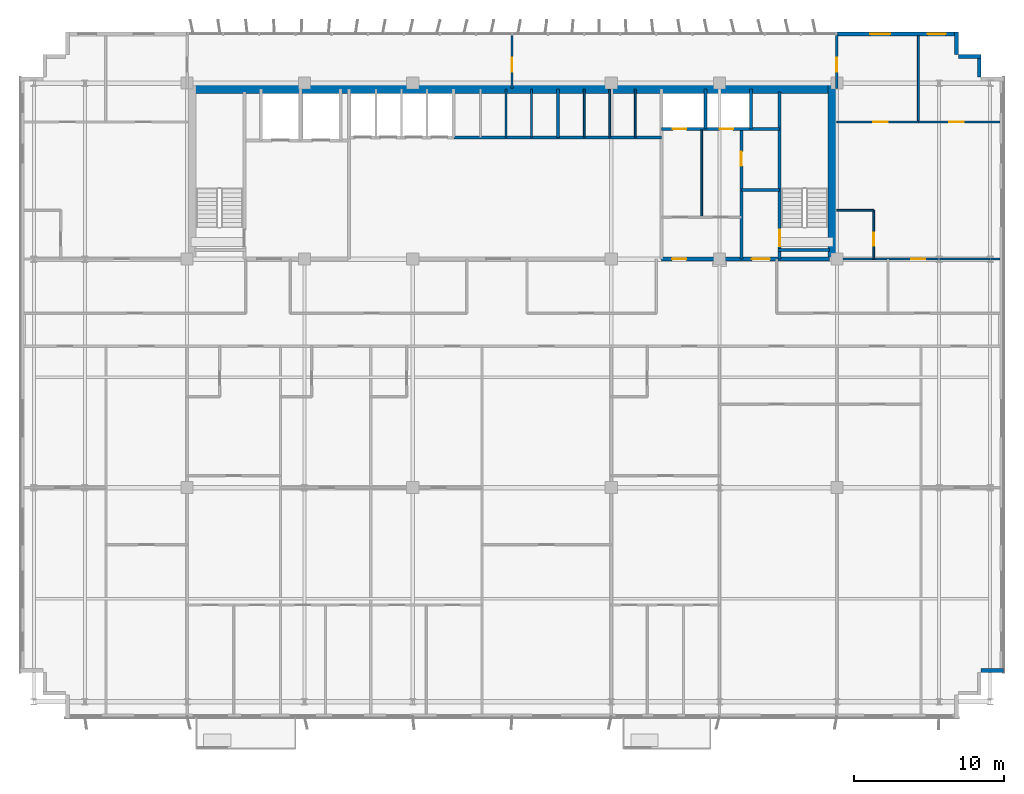
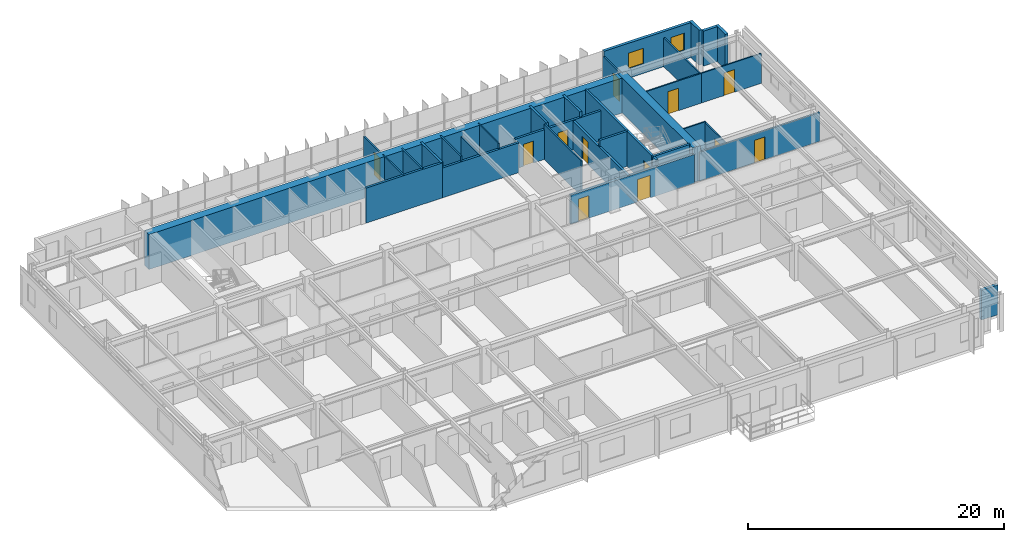
# One storey, part 18 of 22: 32 walls, 12 doors, 2 windows, 14 openings.
"""IFC4 building model written with IfcOpenShell, lengths in metres."""

from ifc_helpers import new_model, si_unit, direction, frame, frame_2d, origin, place, context, subcontext, project, spatial, rectangle, extrude, source, transform, mapped, material, layer, layer_set, type_object, element, fill, save


model = new_model("IFC4")

# Units and contexts
model_context = context("Model", 3, precision=1e-05, world=origin(), true_north=direction((0.0, 1.0)))
body_context = subcontext(model_context, "Body", "Model", "MODEL_VIEW")
ifc_project = project(units=[si_unit("LENGTHUNIT", "METRE"), si_unit("AREAUNIT", "SQUARE_METRE"), si_unit("VOLUMEUNIT", "CUBIC_METRE"), si_unit("PLANEANGLEUNIT", "RADIAN"), si_unit("MASSUNIT", "GRAM", prefix="KILO")], contexts=[model_context])

# Site, building, storey
site_placement = place(None, origin())
site = spatial("IfcSite", under=ifc_project, at=site_placement, CompositionType="ELEMENT")
building_placement = place(site_placement, origin())
building = spatial("IfcBuilding", under=site, at=building_placement, Name="Trelvane Seafront Commons", CompositionType="ELEMENT")
storey_placement = place(building_placement, frame((0.0, 0.0, 114.10009765625)))
storey = spatial("IfcBuildingStorey", under=building, at=storey_placement, Name="L29", CompositionType="ELEMENT", Elevation=114.10009765625)

# Wall, openings, windows
ifc_material_1 = material(Name="Precast concrete C40/50", Category="concrete")
ifc_layer_1 = layer(ifc_material_1, 0.260009765625, Name="ARCH-WALL-EXT260")
ifc_layer_set_1 = layer_set([ifc_layer_1], Name="Precast concrete C40/50")
wall_type_1 = type_object("IfcWallType", Name="ARCH-WALL-EXT260", PredefinedType="SOLIDWALL", material=ifc_layer_set_1)
wall_1_placement = place(storey_placement, frame((58.800048828125, 48.3701171875, 0.0), z_axis=(0.0, 0.0, 1.0), x_axis=(1.0, 0.0, 0.0)))
wall_1 = element("IfcWall", 1, at=wall_1_placement, inside=storey, type_object=wall_type_1, Name="EW-L29-NE-0539", PredefinedType="SOLIDWALL", context=body_context, shape_type="SweptSolid", body=[
    extrude(rectangle(XDim=8.0, YDim=0.260009765625, at=frame_2d((4.0, 0.0))), origin(), (0.0, 0.0, 1.0), 3.33984375),
])
opening_1_placement = place(wall_1_placement, frame((2.208984375, 0.0, 0.89990234375)))
opening_1 = element("IfcOpeningElement", 2, at=opening_1_placement, cuts=wall_1, Name="Opening W09", PredefinedType="OPENING", context=body_context, shape_type="SweptSolid", body=[
    extrude(rectangle(XDim=1.35009765625, YDim=1.5, at=frame_2d((0.675048828125, 0.75))), frame((0.0, 0.139892578125, 0.0), z_axis=(0.0, -1.0, 0.0), x_axis=(1.0, 0.0, 0.0)), (0.0, 0.0, 1.0), 0.280029296875),
])
opening_2_placement = place(wall_1_placement, frame((6.032958984375, 0.0, 0.89990234375)))
opening_2 = element("IfcOpeningElement", 3, at=opening_2_placement, cuts=wall_1, Name="Opening W05", PredefinedType="OPENING", context=body_context, shape_type="SweptSolid", body=[
    extrude(rectangle(XDim=1.199951171875, YDim=1.64990234375, at=frame_2d((0.60009765625, 0.824951171875))), frame((0.0, 0.139892578125, 0.0), z_axis=(0.0, -1.0, 0.0), x_axis=(1.0, 0.0, 0.0)), (0.0, 0.0, 1.0), 0.280029296875),
])
ifc_material_2 = material(Name="Low-E coastal double glazing", Category="glass")
window_type_1 = type_object("IfcWindowType", Name="ARCH-WIN-W09", PartitioningType="SINGLE_PANEL", PredefinedType="WINDOW", material=ifc_material_2)
shared_shape_1 = source(origin(), body_context, "Body", "SweptSolid", [
    extrude(rectangle(XDim=1.35009765625, YDim=1.5, at=frame_2d((0.675048828125, 0.75))), frame((0.0, 0.030029296875, 0.0), z_axis=(0.0, -1.0, 0.0), x_axis=(1.0, 0.0, 0.0)), (0.0, 0.0, 1.0), 0.06005859375),
])
window_1_placement = place(opening_1_placement, origin())
window_1 = element("IfcWindow", 4, at=window_1_placement, inside=storey, type_object=window_type_1, Name="WIN-L29-00637", OverallHeight=1.5, OverallWidth=1.35009765625, PartitioningType="SINGLE_PANEL", PredefinedType="WINDOW", context=body_context, shape_type="MappedRepresentation", body=[
    mapped(shared_shape_1, transform((0.0, 0.0, 0.0), x_axis=(1.0, 0.0, 0.0), y_axis=(0.0, 1.0, 0.0), z_axis=(0.0, 0.0, 1.0), scale=1.0)),
])
fill(opening_1, window_1)
window_type_2 = type_object("IfcWindowType", Name="ARCH-WIN-W05", PartitioningType="SINGLE_PANEL", PredefinedType="WINDOW", material=ifc_material_2)
shared_shape_2 = source(origin(), body_context, "Body", "SweptSolid", [
    extrude(rectangle(XDim=1.199951171875, YDim=1.64990234375, at=frame_2d((0.60009765625, 0.824951171875))), frame((0.0, 0.030029296875, 0.0), z_axis=(0.0, -1.0, 0.0), x_axis=(1.0, 0.0, 0.0)), (0.0, 0.0, 1.0), 0.06005859375),
])
window_2_placement = place(opening_2_placement, origin())
window_2 = element("IfcWindow", 5, at=window_2_placement, inside=storey, type_object=window_type_2, Name="WIN-L29-00638", OverallHeight=1.64990234375, OverallWidth=1.199951171875, PartitioningType="SINGLE_PANEL", PredefinedType="WINDOW", context=body_context, shape_type="MappedRepresentation", body=[
    mapped(shared_shape_2, transform((0.0, 0.0, 0.0), x_axis=(1.0, 0.0, 0.0), y_axis=(0.0, 1.0, 0.0), z_axis=(0.0, 0.0, 1.0), scale=1.0)),
])
fill(opening_2, window_2)

# Walls
for number, where, z_axis, x_axis, name in (
    (6, (66.77001953125, 48.5, 0.0), (0.0, 0.0, 1.0), (0.0, -1.0, 0.0), "EW-L29-00548"),
    (7, (66.89990234375, 46.8701171875, 0.0), (0.0, 0.0, 1.0), (1.0, 0.0, 0.0), "EW-L29-00549"),
    (8, (68.27001953125, 47.0, 0.0), (0.0, 0.0, 1.0), (0.0, -1.0, 0.0), "EW-L29-00550"),
):
    element("IfcWall", number, at=place(storey_placement, frame(where, z_axis=z_axis, x_axis=x_axis)), inside=storey, type_object=wall_type_1, Name=name, PredefinedType="SOLIDWALL", context=body_context, shape_type="SweptSolid", body=[
        extrude(rectangle(XDim=1.5, YDim=0.260009765625, at=frame_2d((0.75, 0.0))), origin(), (0.0, 0.0, 1.0), 3.33984375),
    ])
wall_2_placement = place(storey_placement, frame((69.89990234375, 6.030029296875, 0.0), z_axis=(0.0, 0.0, 1.0), x_axis=(-1.0, 0.0, 0.0)))
element("IfcWall", 9, at=wall_2_placement, inside=storey, type_object=wall_type_1, Name="EW-L29-00553", PredefinedType="SOLIDWALL", context=body_context, shape_type="SweptSolid", body=[
    extrude(rectangle(XDim=1.5, YDim=0.260009765625, at=frame_2d((0.75, 0.0))), origin(), (0.0, 0.0, 1.0), 2.83984375),
])

# Wall, opening, door
ifc_material_3 = material(Name="Concrete C40/50", Category="concrete")
ifc_layer_2 = layer(ifc_material_3, 0.199951171875, Name="ARCH-WALL-FIRE200")
ifc_layer_set_2 = layer_set([ifc_layer_2], Name="Concrete C40/50")
wall_type_2 = type_object("IfcWallType", Name="ARCH-WALL-FIRE200", PredefinedType="PARTITIONING", material=ifc_layer_set_2)
wall_3_placement = place(storey_placement, frame((52.449951171875, 33.39990234375, 0.0), z_axis=(0.0, 0.0, 1.0), x_axis=(0.0, 1.0, 0.0)))
wall_3 = element("IfcWall", 10, at=wall_3_placement, inside=storey, type_object=wall_type_2, Name="W-L29-ST2V-W-033", PredefinedType="PARTITIONING", context=body_context, shape_type="SweptSolid", body=[
    extrude(rectangle(XDim=8.650146484375, YDim=0.199951171875, at=frame_2d((4.3251953125, 0.0))), origin(), (0.0, 0.0, 1.0), 2.751953125),
])
opening_3_placement = place(wall_3_placement, frame((6.199951171875, 0.0, 0.0)))
opening_3 = element("IfcOpeningElement", 11, at=opening_3_placement, cuts=wall_3, Name="Opening FD-L29-13", PredefinedType="OPENING", context=body_context, shape_type="SweptSolid", body=[
    extrude(rectangle(XDim=0.949951171875, YDim=2.14990234375, at=frame_2d((0.47509765625, 1.074951171875))), frame((0.0, 0.10986328125, 0.0), z_axis=(0.0, -1.0, 0.0), x_axis=(1.0, 0.0, 0.0)), (0.0, 0.0, 1.0), 0.219970703125),
])
ifc_material_4 = material(Name="Powder-coated aluminium frame", Category="aluminium")
door_type_1 = type_object("IfcDoorType", Name="ARCH-DR-FD60-950", OperationType="NOTDEFINED", PredefinedType="DOOR", material=ifc_material_4)
shared_shape_3 = source(origin(), body_context, "Body", "SweptSolid", [
    extrude(rectangle(XDim=0.949951171875, YDim=2.14990234375, at=frame_2d((0.47509765625, 1.074951171875))), frame((0.0, 0.02490234375, 0.0), z_axis=(0.0, -1.0, 0.0), x_axis=(1.0, 0.0, 0.0)), (0.0, 0.0, 1.0), 0.050048828125),
])
door_1_placement = place(opening_3_placement, origin())
door_1 = element("IfcDoor", 12, at=door_1_placement, inside=storey, type_object=door_type_1, Name="L29 Cleaner Store Door", OperationType="SINGLE_SWING_LEFT", OverallHeight=2.14990234375, OverallWidth=0.949951171875, PredefinedType="DOOR", context=body_context, shape_type="MappedRepresentation", body=[
    mapped(shared_shape_3, transform((0.0, 0.0, 0.0), x_axis=(1.0, 0.0, 0.0), y_axis=(0.0, 1.0, 0.0), z_axis=(0.0, 0.0, 1.0), scale=1.0)),
])
fill(opening_3, door_1)

# Wall
wall_4_placement = place(storey_placement, frame((52.449951171875, 38.0, 0.0), z_axis=(0.0, 0.0, 1.0), x_axis=(1.0, 0.0, 0.0)))
element("IfcWall", 13, at=wall_4_placement, inside=storey, type_object=wall_type_2, Name="W-L29-ST2V-N-034", PredefinedType="PARTITIONING", context=body_context, shape_type="SweptSolid", body=[
    extrude(rectangle(XDim=2.550048828125, YDim=0.199951171875, at=frame_2d((1.27490234375, 0.0))), origin(), (0.0, 0.0, 1.0), 3.33984375),
])

# Wall, openings, doors
ifc_layer_3 = layer(ifc_material_3, 0.25, Name="ARCH-WALL-FIRE250")
ifc_layer_set_3 = layer_set([ifc_layer_3], Name="Concrete C40/50")
wall_type_3 = type_object("IfcWallType", Name="ARCH-WALL-FIRE250", PredefinedType="PARTITIONING", material=ifc_layer_set_3)
wall_5_placement = place(storey_placement, frame((47.14990234375, 33.39990234375, 0.0), z_axis=(0.0, 0.0, 1.0), x_axis=(1.0, 0.0, 0.0)))
wall_5 = element("IfcWall", 14, at=wall_5_placement, inside=storey, type_object=wall_type_3, Name="W-L29-CS-EAST-037", PredefinedType="PARTITIONING", context=body_context, shape_type="SweptSolid", body=[
    extrude(rectangle(XDim=11.150146484375, YDim=0.25, at=frame_2d((5.5751953125, 0.0))), origin(), (0.0, 0.0, 1.0), 2.751953125),
])
opening_4_placement = place(wall_5_placement, frame((0.699951171875, 0.0, 0.0)))
opening_4 = element("IfcOpeningElement", 15, at=opening_4_placement, cuts=wall_5, Name="Opening FD-L29-16", PredefinedType="OPENING", context=body_context, shape_type="SweptSolid", body=[
    extrude(rectangle(XDim=0.949951171875, YDim=2.14990234375, at=frame_2d((0.47509765625, 1.074951171875))), frame((0.0, 0.135009765625, 0.0), z_axis=(0.0, -1.0, 0.0), x_axis=(1.0, 0.0, 0.0)), (0.0, 0.0, 1.0), 0.27001953125),
])
opening_5_placement = place(wall_5_placement, frame((6.0, 0.0, 0.0)))
opening_5 = element("IfcOpeningElement", 16, at=opening_5_placement, cuts=wall_5, Name="Opening FD-L29-17", PredefinedType="OPENING", context=body_context, shape_type="SweptSolid", body=[
    extrude(rectangle(XDim=1.199951171875, YDim=2.14990234375, at=frame_2d((0.60009765625, 1.074951171875))), frame((0.0, 0.135009765625, 0.0), z_axis=(0.0, -1.0, 0.0), x_axis=(1.0, 0.0, 0.0)), (0.0, 0.0, 1.0), 0.27001953125),
])
door_2_placement = place(opening_4_placement, origin())
door_2 = element("IfcDoor", 17, at=door_2_placement, inside=storey, type_object=door_type_1, Name="L29 Core Service Lobby Door", OperationType="SINGLE_SWING_RIGHT", OverallHeight=2.14990234375, OverallWidth=0.949951171875, PredefinedType="DOOR", context=body_context, shape_type="MappedRepresentation", body=[
    mapped(shared_shape_3, transform((0.0, 0.0, 0.0), x_axis=(1.0, 0.0, 0.0), y_axis=(0.0, 1.0, 0.0), z_axis=(0.0, 0.0, 1.0), scale=1.0)),
])
fill(opening_4, door_2)
door_type_2 = type_object("IfcDoorType", Name="ARCH-DR-FD60-1200", OperationType="NOTDEFINED", PredefinedType="DOOR", material=ifc_material_4)
shared_shape_4 = source(origin(), body_context, "Body", "SweptSolid", [
    extrude(rectangle(XDim=1.199951171875, YDim=2.14990234375, at=frame_2d((0.60009765625, 1.074951171875))), frame((0.0, 0.02490234375, 0.0), z_axis=(0.0, -1.0, 0.0), x_axis=(1.0, 0.0, 0.0)), (0.0, 0.0, 1.0), 0.050048828125),
])
door_3_placement = place(opening_5_placement, origin())
door_3 = element("IfcDoor", 18, at=door_3_placement, inside=storey, type_object=door_type_2, Name="L29 East Stair Vestibule Fire Door", OperationType="SINGLE_SWING_LEFT", OverallHeight=2.14990234375, OverallWidth=1.199951171875, PredefinedType="DOOR", context=body_context, shape_type="MappedRepresentation", body=[
    mapped(shared_shape_4, transform((0.0, 0.0, 0.0), x_axis=(1.0, 0.0, 0.0), y_axis=(0.0, 1.0, 0.0), z_axis=(0.0, 0.0, 1.0), scale=1.0)),
])
fill(opening_5, door_3)

# Walls
ifc_material_5 = material(Name="Gypsum Drywall Acoustic Partition")
ifc_layer_4 = layer(ifc_material_5, 0.1201171875, Name="ARCH-WALL-PART120")
ifc_layer_set_4 = layer_set([ifc_layer_4], Name="Gypsum Drywall Acoustic Partition")
wall_type_4 = type_object("IfcWallType", Name="ARCH-WALL-PART120", PredefinedType="PARTITIONING", material=ifc_layer_set_4)
for number, where, z_axis, x_axis, name in (
    (19, (36.800048828125, 41.5, 0.0), (0.0, 0.0, 1.0), (0.0, 1.0, 0.0), "W-L29-PM-DIV2-021"),
    (20, (38.5, 41.5, 0.0), (0.0, 0.0, 1.0), (0.0, 1.0, 0.0), "W-L29-PM-DIV3-022"),
    (21, (42.0, 41.5, 0.0), (0.0, 0.0, 1.0), (0.0, 1.0, 0.0), "W-L29-PH-DIV1-025"),
):
    element("IfcWall", number, at=place(storey_placement, frame(where, z_axis=z_axis, x_axis=x_axis)), inside=storey, type_object=wall_type_4, Name=name, PredefinedType="PARTITIONING", context=body_context, shape_type="SweptSolid", body=[
        extrude(rectangle(XDim=3.199951171875, YDim=0.1201171875, at=frame_2d((1.60009765625, 0.0))), origin(), (0.0, 0.0, 1.0), 3.33984375),
    ])
wall_6_placement = place(storey_placement, frame((43.699951171875, 41.5, 0.0), z_axis=(0.0, 0.0, 1.0), x_axis=(0.0, 1.0, 0.0)))
element("IfcWall", 22, at=wall_6_placement, inside=storey, type_object=wall_type_4, Name="W-L29-PH-DIV2-026", PredefinedType="PARTITIONING", context=body_context, shape_type="SweptSolid", body=[
    extrude(rectangle(XDim=3.199951171875, YDim=0.1201171875, at=frame_2d((1.60009765625, 0.0))), origin(), (0.0, 0.0, 1.0), 2.83984375),
])
wall_7_placement = place(storey_placement, frame((45.39990234375, 41.5, 0.0), z_axis=(0.0, 0.0, 1.0), x_axis=(0.0, 1.0, 0.0)))
element("IfcWall", 23, at=wall_7_placement, inside=storey, type_object=wall_type_4, Name="W-L29-PH-DIV3-027", PredefinedType="PARTITIONING", context=body_context, shape_type="SweptSolid", body=[
    extrude(rectangle(XDim=3.199951171875, YDim=0.1201171875, at=frame_2d((1.60009765625, 0.0))), origin(), (0.0, 0.0, 1.0), 3.33984375),
])
wall_8_placement = place(storey_placement, frame((49.820068359375, 36.179931640625, 0.0), z_axis=(0.0, 0.0, 1.0), x_axis=(0.0, 1.0, 0.0)))
element("IfcWall", 24, at=wall_8_placement, inside=storey, type_object=wall_type_4, Name="W-L29-CYC1-V-036", PredefinedType="PARTITIONING", context=body_context, shape_type="SweptSolid", body=[
    extrude(rectangle(XDim=5.820068359375, YDim=0.1201171875, at=frame_2d((2.91015625, 0.0))), origin(), (0.0, 0.0, 1.0), 3.33984375),
])

# Wall, opening, door
wall_9_placement = place(storey_placement, frame((61.25, 33.39990234375, 0.0), z_axis=(0.0, 0.0, 1.0), x_axis=(0.0, 1.0, 0.0)))
wall_9 = element("IfcWall", 25, at=wall_9_placement, inside=storey, type_object=wall_type_4, Name="W-L29-NE-BE-055", PredefinedType="PARTITIONING", context=body_context, shape_type="SweptSolid", body=[
    extrude(rectangle(XDim=3.25, YDim=0.1201171875, at=frame_2d((1.625, 0.0))), origin(), (0.0, 0.0, 1.0), 2.751953125),
])
opening_6_placement = place(wall_9_placement, frame((0.89990234375, 0.0, 0.0)))
opening_6 = element("IfcOpeningElement", 26, at=opening_6_placement, cuts=wall_9, Name="Opening D-L29-27", PredefinedType="OPENING", context=body_context, shape_type="SweptSolid", body=[
    extrude(rectangle(XDim=0.85009765625, YDim=2.10009765625, at=frame_2d((0.425048828125, 1.050048828125))), frame((0.0, 0.070068359375, 0.0), z_axis=(0.0, -1.0, 0.0), x_axis=(1.0, 0.0, 0.0)), (0.0, 0.0, 1.0), 0.14013671875),
])
ifc_material_6 = material(Name="Acoustic timber door leaf", Category="wood")
door_type_3 = type_object("IfcDoorType", Name="ARCH-DR-INT850", OperationType="NOTDEFINED", PredefinedType="DOOR", material=ifc_material_6)
shared_shape_5 = source(origin(), body_context, "Body", "SweptSolid", [
    extrude(rectangle(XDim=0.85009765625, YDim=2.10009765625, at=frame_2d((0.425048828125, 1.050048828125))), frame((0.0, 0.02490234375, 0.0), z_axis=(0.0, -1.0, 0.0), x_axis=(1.0, 0.0, 0.0)), (0.0, 0.0, 1.0), 0.050048828125),
])
door_4_placement = place(opening_6_placement, origin())
door_4 = element("IfcDoor", 27, at=door_4_placement, inside=storey, type_object=door_type_3, Name="L29 Door 27", OperationType="SINGLE_SWING_LEFT", OverallHeight=2.10009765625, OverallWidth=0.85009765625, PredefinedType="DOOR", context=body_context, shape_type="MappedRepresentation", body=[
    mapped(shared_shape_5, transform((0.0, 0.0, 0.0), x_axis=(1.0, 0.0, 0.0), y_axis=(0.0, 1.0, 0.0), z_axis=(0.0, 0.0, 1.0), scale=1.0)),
])
fill(opening_6, door_4)

# Wall
wall_10_placement = place(storey_placement, frame((58.800048828125, 36.64990234375, 0.0), z_axis=(0.0, 0.0, 1.0), x_axis=(1.0, 0.0, 0.0)))
element("IfcWall", 28, at=wall_10_placement, inside=storey, type_object=wall_type_4, Name="W-L29-NE-BN-056", PredefinedType="PARTITIONING", context=body_context, shape_type="SweptSolid", body=[
    extrude(rectangle(XDim=2.449951171875, YDim=0.1201171875, at=frame_2d((1.22509765625, 0.0))), origin(), (0.0, 0.0, 1.0), 2.83984375),
])

# Wall, opening, door
wall_11_placement = place(storey_placement, frame((58.800048828125, 42.52001953125, 0.0), z_axis=(0.0, 0.0, 1.0), x_axis=(1.0, 0.0, 0.0)))
wall_11 = element("IfcWall", 29, at=wall_11_placement, inside=storey, type_object=wall_type_4, Name="W-L29-NE-KB1-057", PredefinedType="PARTITIONING", context=body_context, shape_type="SweptSolid", body=[
    extrude(rectangle(XDim=5.425048828125, YDim=0.1201171875, at=frame_2d((2.71240234375, 0.0))), origin(), (0.0, 0.0, 1.0), 2.83984375),
])
opening_7_placement = place(wall_11_placement, frame((2.423095703125, 0.0, 0.0)))
opening_7 = element("IfcOpeningElement", 30, at=opening_7_placement, cuts=wall_11, Name="Opening D-L29-28", PredefinedType="OPENING", context=body_context, shape_type="SweptSolid", body=[
    extrude(rectangle(XDim=0.949951171875, YDim=2.14990234375, at=frame_2d((0.47509765625, 1.074951171875))), frame((0.0, 0.070068359375, 0.0), z_axis=(0.0, -1.0, 0.0), x_axis=(1.0, 0.0, 0.0)), (0.0, 0.0, 1.0), 0.14013671875),
])
door_type_4 = type_object("IfcDoorType", Name="ARCH-DR-INT950", OperationType="NOTDEFINED", PredefinedType="DOOR", material=ifc_material_6)
door_5_placement = place(opening_7_placement, origin())
door_5 = element("IfcDoor", 31, at=door_5_placement, inside=storey, type_object=door_type_4, Name="L29 Door 28", OperationType="SINGLE_SWING_RIGHT", OverallHeight=2.14990234375, OverallWidth=0.949951171875, PredefinedType="DOOR", context=body_context, shape_type="MappedRepresentation", body=[
    mapped(shared_shape_3, transform((0.0, 0.0, 0.0), x_axis=(1.0, 0.0, 0.0), y_axis=(0.0, 1.0, 0.0), z_axis=(0.0, 0.0, 1.0), scale=1.0)),
])
fill(opening_7, door_5)

wall_12_placement = place(storey_placement, frame((64.22509765625, 42.52001953125, 0.0), z_axis=(0.0, 0.0, 1.0), x_axis=(1.0, 0.0, 0.0)))
wall_12 = element("IfcWall", 32, at=wall_12_placement, inside=storey, type_object=wall_type_4, Name="W-L29-NE-KB2-058", PredefinedType="PARTITIONING", context=body_context, shape_type="SweptSolid", body=[
    extrude(rectangle(XDim=5.4248046875, YDim=0.1201171875, at=frame_2d((2.71240234375, 0.0))), origin(), (0.0, 0.0, 1.0), 2.83984375),
])
opening_8_placement = place(wall_12_placement, frame((2.052001953125, 0.0, 0.0)))
opening_8 = element("IfcOpeningElement", 33, at=opening_8_placement, cuts=wall_12, Name="Opening D-L29-29", PredefinedType="OPENING", context=body_context, shape_type="SweptSolid", body=[
    extrude(rectangle(XDim=0.949951171875, YDim=2.14990234375, at=frame_2d((0.47509765625, 1.074951171875))), frame((0.0, 0.070068359375, 0.0), z_axis=(0.0, -1.0, 0.0), x_axis=(1.0, 0.0, 0.0)), (0.0, 0.0, 1.0), 0.14013671875),
])
door_6_placement = place(opening_8_placement, origin())
door_6 = element("IfcDoor", 34, at=door_6_placement, inside=storey, type_object=door_type_4, Name="L29 Door 29", OperationType="SINGLE_SWING_LEFT", OverallHeight=2.14990234375, OverallWidth=0.949951171875, PredefinedType="DOOR", context=body_context, shape_type="MappedRepresentation", body=[
    mapped(shared_shape_3, transform((0.0, 0.0, 0.0), x_axis=(1.0, 0.0, 0.0), y_axis=(0.0, 1.0, 0.0), z_axis=(0.0, 0.0, 1.0), scale=1.0)),
])
fill(opening_8, door_6)

# Wall
wall_13_placement = place(storey_placement, frame((64.22509765625, 42.52001953125, 0.0), z_axis=(0.0, 0.0, 1.0), x_axis=(0.0, 1.0, 0.0)))
element("IfcWall", 35, at=wall_13_placement, inside=storey, type_object=wall_type_4, Name="W-L29-NE-KBDV-059", PredefinedType="PARTITIONING", context=body_context, shape_type="SweptSolid", body=[
    extrude(rectangle(XDim=5.719970703125, YDim=0.1201171875, at=frame_2d((2.85986328125, 0.0))), origin(), (0.0, 0.0, 1.0), 2.751953125),
])

# Wall, opening, door
wall_14_placement = place(storey_placement, frame((37.199951171875, 44.75, 0.0), z_axis=(0.0, 0.0, 1.0), x_axis=(0.0, 1.0, 0.0)))
wall_14 = element("IfcWall", 36, at=wall_14_placement, inside=storey, type_object=wall_type_4, Name="W-L29-N-MID-DV-061", PredefinedType="PARTITIONING", context=body_context, shape_type="SweptSolid", body=[
    extrude(rectangle(XDim=3.610107421875, YDim=0.1201171875, at=frame_2d((1.80517578125, 0.0))), origin(), (0.0, 0.0, 1.0), 2.751953125),
])
opening_9_placement = place(wall_14_placement, frame((1.10009765625, 0.0, 0.0)))
opening_9 = element("IfcOpeningElement", 37, at=opening_9_placement, cuts=wall_14, Name="Opening D-L29-31", PredefinedType="OPENING", context=body_context, shape_type="SweptSolid", body=[
    extrude(rectangle(XDim=0.949951171875, YDim=2.14990234375, at=frame_2d((0.47509765625, 1.074951171875))), frame((0.0, 0.070068359375, 0.0), z_axis=(0.0, -1.0, 0.0), x_axis=(1.0, 0.0, 0.0)), (0.0, 0.0, 1.0), 0.14013671875),
])
door_7_placement = place(opening_9_placement, origin())
door_7 = element("IfcDoor", 38, at=door_7_placement, inside=storey, type_object=door_type_4, Name="L29 Door 31", OperationType="SINGLE_SWING_LEFT", OverallHeight=2.14990234375, OverallWidth=0.949951171875, PredefinedType="DOOR", context=body_context, shape_type="MappedRepresentation", body=[
    mapped(shared_shape_3, transform((0.0, 0.0, 0.0), x_axis=(1.0, 0.0, 0.0), y_axis=(0.0, 1.0, 0.0), z_axis=(0.0, 0.0, 1.0), scale=1.0)),
])
fill(opening_9, door_7)

ifc_layer_5 = layer(ifc_material_5, 0.14990234375, Name="ARCH-WALL-PART150")
ifc_layer_set_5 = layer_set([ifc_layer_5], Name="Gypsum Drywall Acoustic Partition")
wall_type_5 = type_object("IfcWallType", Name="ARCH-WALL-PART150", PredefinedType="PARTITIONING", material=ifc_layer_set_5)
wall_15_placement = place(storey_placement, frame((58.800048828125, 33.39990234375, 0.0), z_axis=(0.0, 0.0, 1.0), x_axis=(1.0, 0.0, 0.0)))
wall_15 = element("IfcWall", 39, at=wall_15_placement, inside=storey, type_object=wall_type_5, Name="W-L29-NE-ENT-060", PredefinedType="PARTITIONING", context=body_context, shape_type="SweptSolid", body=[
    extrude(rectangle(XDim=10.849853515625, YDim=0.14990234375, at=frame_2d((5.4248046875, 0.0))), origin(), (0.0, 0.0, 1.0), 2.751953125),
])
opening_10_placement = place(wall_15_placement, frame((4.93310546875, 0.0, 0.0)))
opening_10 = element("IfcOpeningElement", 40, at=opening_10_placement, cuts=wall_15, Name="Opening FD-L29-30", PredefinedType="OPENING", context=body_context, shape_type="SweptSolid", body=[
    extrude(rectangle(XDim=0.949951171875, YDim=2.14990234375, at=frame_2d((0.47509765625, 1.074951171875))), frame((0.0, 0.0849609375, 0.0), z_axis=(0.0, -1.0, 0.0), x_axis=(1.0, 0.0, 0.0)), (0.0, 0.0, 1.0), 0.169921875),
])
door_8_placement = place(opening_10_placement, origin())
door_8 = element("IfcDoor", 41, at=door_8_placement, inside=storey, type_object=door_type_1, Name="L29 NE Flat Entrance Door", OperationType="SINGLE_SWING_RIGHT", OverallHeight=2.14990234375, OverallWidth=0.949951171875, PredefinedType="DOOR", context=body_context, shape_type="MappedRepresentation", body=[
    mapped(shared_shape_3, transform((0.0, 0.0, 0.0), x_axis=(1.0, 0.0, 0.0), y_axis=(0.0, 1.0, 0.0), z_axis=(0.0, 0.0, 1.0), scale=1.0)),
])
fill(opening_10, door_8)

wall_16_placement = place(storey_placement, frame((58.800048828125, 44.75, 0.0), z_axis=(0.0, 0.0, 1.0), x_axis=(0.0, 1.0, 0.0)))
wall_16 = element("IfcWall", 42, at=wall_16_placement, inside=storey, type_object=wall_type_5, Name="W-L29-N-LINK-E-063", PredefinedType="PARTITIONING", context=body_context, shape_type="SweptSolid", body=[
    extrude(rectangle(XDim=3.610107421875, YDim=0.14990234375, at=frame_2d((1.80517578125, 0.0))), origin(), (0.0, 0.0, 1.0), 2.83984375),
])
opening_11_placement = place(wall_16_placement, frame((1.10009765625, 0.0, 0.0)))
opening_11 = element("IfcOpeningElement", 43, at=opening_11_placement, cuts=wall_16, Name="Opening FD-L29-33", PredefinedType="OPENING", context=body_context, shape_type="SweptSolid", body=[
    extrude(rectangle(XDim=0.949951171875, YDim=2.14990234375, at=frame_2d((0.47509765625, 1.074951171875))), frame((0.0, 0.0849609375, 0.0), z_axis=(0.0, -1.0, 0.0), x_axis=(1.0, 0.0, 0.0)), (0.0, 0.0, 1.0), 0.169921875),
])
door_9_placement = place(opening_11_placement, origin())
door_9 = element("IfcDoor", 44, at=door_9_placement, inside=storey, type_object=door_type_1, Name="L29 Door 33", OperationType="SINGLE_SWING_LEFT", OverallHeight=2.14990234375, OverallWidth=0.949951171875, PredefinedType="DOOR", context=body_context, shape_type="MappedRepresentation", body=[
    mapped(shared_shape_3, transform((0.0, 0.0, 0.0), x_axis=(1.0, 0.0, 0.0), y_axis=(0.0, 1.0, 0.0), z_axis=(0.0, 0.0, 1.0), scale=1.0)),
])
fill(opening_11, door_9)

# Walls
ifc_layer_6 = layer(ifc_material_3, 0.199951171875, Name="ARCH-WALL-SHAFT200")
ifc_layer_set_6 = layer_set([ifc_layer_6], Name="Concrete C40/50")
wall_type_6 = type_object("IfcWallType", Name="ARCH-WALL-SHAFT200", PredefinedType="SOLIDWALL", material=ifc_layer_set_6)
wall_17_placement = place(storey_placement, frame((33.35009765625, 41.5, 0.0), z_axis=(0.0, 0.0, 1.0), x_axis=(1.0, 0.0, 0.0)))
element("IfcWall", 45, at=wall_17_placement, inside=storey, type_object=wall_type_6, Name="W-L29-PM-FRONT-019", PredefinedType="SOLIDWALL", context=body_context, shape_type="SweptSolid", body=[
    extrude(rectangle(XDim=6.89990234375, YDim=0.199951171875, at=frame_2d((3.449951171875, 0.0))), origin(), (0.0, 0.0, 1.0), 3.33984375),
])
wall_18_placement = place(storey_placement, frame((40.25, 41.5, 0.0), z_axis=(0.0, 0.0, 1.0), x_axis=(1.0, 0.0, 0.0)))
element("IfcWall", 46, at=wall_18_placement, inside=storey, type_object=wall_type_6, Name="W-L29-PH-FRONT-023", PredefinedType="SOLIDWALL", context=body_context, shape_type="SweptSolid", body=[
    extrude(rectangle(XDim=6.89990234375, YDim=0.199951171875, at=frame_2d((3.449951171875, 0.0))), origin(), (0.0, 0.0, 1.0), 2.83984375),
])
wall_19_placement = place(storey_placement, frame((40.25, 41.5, 0.0), z_axis=(0.0, 0.0, 1.0), x_axis=(0.0, 1.0, 0.0)))
element("IfcWall", 47, at=wall_19_placement, inside=storey, type_object=wall_type_6, Name="W-L29-PH-WEST-SH-024", PredefinedType="SOLIDWALL", context=body_context, shape_type="SweptSolid", body=[
    extrude(rectangle(XDim=3.199951171875, YDim=0.199951171875, at=frame_2d((1.60009765625, 0.0))), origin(), (0.0, 0.0, 1.0), 3.33984375),
])

# Wall, openings, doors
wall_20_placement = place(storey_placement, frame((47.14990234375, 42.050048828125, 0.0), z_axis=(0.0, 0.0, 1.0), x_axis=(1.0, 0.0, 0.0)))
wall_20 = element("IfcWall", 48, at=wall_20_placement, inside=storey, type_object=wall_type_6, Name="W-L29-RSR-S-030", PredefinedType="SOLIDWALL", context=body_context, shape_type="SweptSolid", body=[
    extrude(rectangle(XDim=7.85009765625, YDim=0.199951171875, at=frame_2d((3.925048828125, 0.0))), origin(), (0.0, 0.0, 1.0), 2.83984375),
])
opening_12_placement = place(wall_20_placement, frame((0.75, 0.0, 0.0)))
opening_12 = element("IfcOpeningElement", 49, at=opening_12_placement, cuts=wall_20, Name="Opening FD-L29-11", PredefinedType="OPENING", context=body_context, shape_type="SweptSolid", body=[
    extrude(rectangle(XDim=0.89990234375, YDim=2.10009765625, at=frame_2d((0.449951171875, 1.050048828125))), frame((0.0, 0.10986328125, 0.0), z_axis=(0.0, -1.0, 0.0), x_axis=(1.0, 0.0, 0.0)), (0.0, 0.0, 1.0), 0.219970703125),
])
opening_13_placement = place(wall_20_placement, frame((3.85009765625, 0.0, 0.0)))
opening_13 = element("IfcOpeningElement", 50, at=opening_13_placement, cuts=wall_20, Name="Opening FD-L29-12", PredefinedType="OPENING", context=body_context, shape_type="SweptSolid", body=[
    extrude(rectangle(XDim=0.89990234375, YDim=2.10009765625, at=frame_2d((0.449951171875, 1.050048828125))), frame((0.0, 0.10986328125, 0.0), z_axis=(0.0, -1.0, 0.0), x_axis=(1.0, 0.0, 0.0)), (0.0, 0.0, 1.0), 0.219970703125),
])
door_type_5 = type_object("IfcDoorType", Name="ARCH-DR-FD60-900", OperationType="NOTDEFINED", PredefinedType="DOOR", material=ifc_material_4)
shared_shape_6 = source(origin(), body_context, "Body", "SweptSolid", [
    extrude(rectangle(XDim=0.89990234375, YDim=2.10009765625, at=frame_2d((0.449951171875, 1.050048828125))), frame((0.0, 0.02490234375, 0.0), z_axis=(0.0, -1.0, 0.0), x_axis=(1.0, 0.0, 0.0)), (0.0, 0.0, 1.0), 0.050048828125),
])
door_10_placement = place(opening_12_placement, origin())
door_10 = element("IfcDoor", 51, at=door_10_placement, inside=storey, type_object=door_type_5, Name="L29 Electrical Riser Access Door", OperationType="SINGLE_SWING_LEFT", OverallHeight=2.10009765625, OverallWidth=0.89990234375, PredefinedType="DOOR", context=body_context, shape_type="MappedRepresentation", body=[
    mapped(shared_shape_6, transform((0.0, 0.0, 0.0), x_axis=(1.0, 0.0, 0.0), y_axis=(0.0, 1.0, 0.0), z_axis=(0.0, 0.0, 1.0), scale=1.0)),
])
fill(opening_12, door_10)
door_11_placement = place(opening_13_placement, origin())
door_11 = element("IfcDoor", 52, at=door_11_placement, inside=storey, type_object=door_type_5, Name="L29 Mechanical Riser Access Door", OperationType="SINGLE_SWING_RIGHT", OverallHeight=2.10009765625, OverallWidth=0.89990234375, PredefinedType="DOOR", context=body_context, shape_type="MappedRepresentation", body=[
    mapped(shared_shape_6, transform((0.0, 0.0, 0.0), x_axis=(1.0, 0.0, 0.0), y_axis=(0.0, 1.0, 0.0), z_axis=(0.0, 0.0, 1.0), scale=1.0)),
])
fill(opening_13, door_11)

# Walls
for number, where, z_axis, x_axis, name in (
    (53, (50.080078125, 42.050048828125, 0.0), (0.0, 0.0, 1.0), (0.0, 1.0, 0.0), "W-L29-RSR-DIV-031"),
    (54, (53.10009765625, 42.050048828125, 0.0), (0.0, 0.0, 1.0), (0.0, 1.0, 0.0), "W-L29-RSR-E-032"),
):
    element("IfcWall", number, at=place(storey_placement, frame(where, z_axis=z_axis, x_axis=x_axis)), inside=storey, type_object=wall_type_6, Name=name, PredefinedType="SOLIDWALL", context=body_context, shape_type="SweptSolid", body=[
        extrude(rectangle(XDim=2.64990234375, YDim=0.199951171875, at=frame_2d((1.324951171875, 0.0))), origin(), (0.0, 0.0, 1.0), 3.33984375),
    ])
ifc_material_7 = material(Name="Concrete C60/75", Category="concrete")
ifc_layer_7 = layer(ifc_material_7, 0.699951171875, Name="STR-WALL-CORE700")
ifc_layer_set_7 = layer_set([ifc_layer_7], Name="Concrete C60/75")
wall_type_7 = type_object("IfcWallType", Name="STR-WALL-CORE700", PredefinedType="SHEAR", material=ifc_layer_set_7)
wall_21_placement = place(storey_placement, frame((15.5, 44.75, 0.0), z_axis=(0.0, 0.0, 1.0), x_axis=(1.0, 0.0, 0.0)))
element("IfcWall", 55, at=wall_21_placement, inside=storey, type_object=wall_type_7, Name="W-L29-CN-ALL-001", PredefinedType="SHEAR", context=body_context, shape_type="SweptSolid", body=[
    extrude(rectangle(XDim=43.39990234375, YDim=0.699951171875, at=frame_2d((21.699951171875, 0.0))), origin(), (0.0, 0.0, 1.0), 3.33984375),
])
wall_22_placement = place(storey_placement, frame((58.550048828125, 33.39990234375, 0.0), z_axis=(0.0, 0.0, 1.0), x_axis=(0.0, 1.0, 0.0)))
element("IfcWall", 56, at=wall_22_placement, inside=storey, type_object=wall_type_7, Name="W-L29-CE-END-003", PredefinedType="SHEAR", context=body_context, shape_type="SweptSolid", body=[
    extrude(rectangle(XDim=11.7001953125, YDim=0.699951171875, at=frame_2d((5.85009765625, 0.0))), origin(), (0.0, 0.0, 1.0), 3.33984375),
])
ifc_material_8 = material(Name="Concrete C50/60", Category="concrete")
ifc_layer_8 = layer(ifc_material_8, 0.199951171875, Name="STR-WALL-STAIR200")
ifc_layer_set_8 = layer_set([ifc_layer_8], Name="Concrete C50/60")
wall_type_8 = type_object("IfcWallType", Name="STR-WALL-STAIR200", PredefinedType="SHEAR", material=ifc_layer_set_8)
wall_23_placement = place(storey_placement, frame((54.89990234375, 34.0, 0.0), z_axis=(0.0, 0.0, 1.0), x_axis=(1.0, 0.0, 0.0)))
element("IfcWall", 57, at=wall_23_placement, inside=storey, type_object=wall_type_8, Name="W-L29-ST2-S-006", PredefinedType="SHEAR", context=body_context, shape_type="SweptSolid", body=[
    extrude(rectangle(XDim=3.400146484375, YDim=0.199951171875, at=frame_2d((1.7001953125, 0.0))), origin(), (0.0, 0.0, 1.0), 3.33984375),
])

# Wall, opening, door
wall_24_placement = place(storey_placement, frame((55.0, 33.39990234375, 0.0), z_axis=(0.0, 0.0, 1.0), x_axis=(0.0, 1.0, 0.0)))
wall_24 = element("IfcWall", 58, at=wall_24_placement, inside=storey, type_object=wall_type_8, Name="W-L29-ST2-W-007", PredefinedType="SHEAR", context=body_context, shape_type="SweptSolid", body=[
    extrude(rectangle(XDim=11.10009765625, YDim=0.199951171875, at=frame_2d((5.550048828125, 0.0))), origin(), (0.0, 0.0, 1.0), 3.33984375),
])
opening_14_placement = place(wall_24_placement, frame((0.85009765625, 0.0, 0.0)))
opening_14 = element("IfcOpeningElement", 59, at=opening_14_placement, cuts=wall_24, Name="Opening ST-D2-L29", PredefinedType="OPENING", context=body_context, shape_type="SweptSolid", body=[
    extrude(rectangle(XDim=1.10009765625, YDim=2.14990234375, at=frame_2d((0.550048828125, 1.074951171875))), frame((0.0, 0.10986328125, 0.0), z_axis=(0.0, -1.0, 0.0), x_axis=(1.0, 0.0, 0.0)), (0.0, 0.0, 1.0), 0.219970703125),
])
door_type_6 = type_object("IfcDoorType", Name="ARCH-DR-FD90-1100", OperationType="NOTDEFINED", PredefinedType="DOOR", material=ifc_material_4)
shared_shape_7 = source(origin(), body_context, "Body", "SweptSolid", [
    extrude(rectangle(XDim=1.10009765625, YDim=2.14990234375, at=frame_2d((0.550048828125, 1.074951171875))), frame((0.0, 0.02490234375, 0.0), z_axis=(0.0, -1.0, 0.0), x_axis=(1.0, 0.0, 0.0)), (0.0, 0.0, 1.0), 0.050048828125),
])
door_12_placement = place(opening_14_placement, origin())
door_12 = element("IfcDoor", 60, at=door_12_placement, inside=storey, type_object=door_type_6, Name="L29 Stair ST-2 Vestibule Fire Door", OperationType="SINGLE_SWING_RIGHT", OverallHeight=2.14990234375, OverallWidth=1.10009765625, PredefinedType="DOOR", context=body_context, shape_type="MappedRepresentation", body=[
    mapped(shared_shape_7, transform((0.0, 0.0, 0.0), x_axis=(1.0, 0.0, 0.0), y_axis=(0.0, 1.0, 0.0), z_axis=(0.0, 0.0, 1.0), scale=1.0)),
])
fill(opening_14, door_12)

save(model, "model.ifc")
